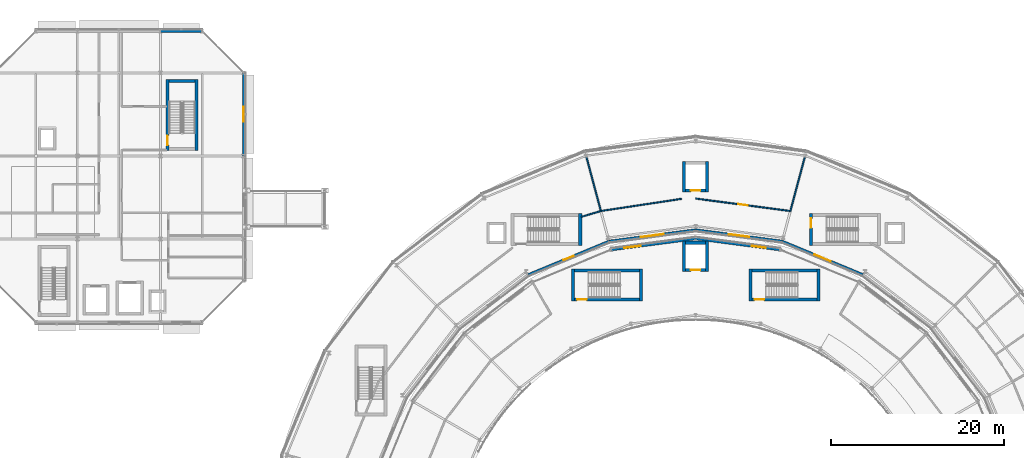
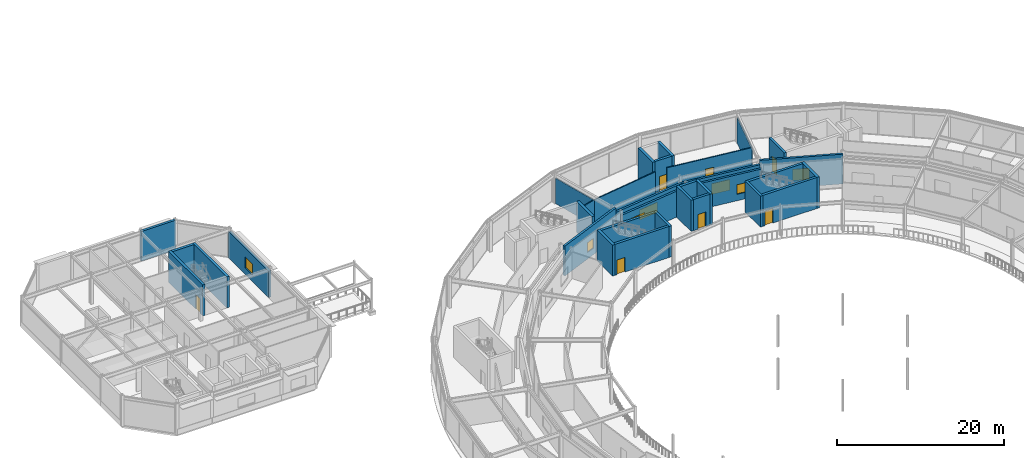
# One storey, part 122 of 157: 33 walls, 7 doors, 7 windows, 14 openings.
"""IFC4 building model written with IfcOpenShell, lengths in metres."""

from ifc_helpers import new_model, si_unit, direction, frame, frame_2d, origin, place, context, subcontext, project, spatial, rectangle, extrude, material, layer, layer_set, type_object, element, fill, save


model = new_model("IFC4")

# Units and contexts
model_context = context("Model", 3, precision=1e-05, world=origin(), true_north=direction((0.0, 1.0)))
body_context = subcontext(model_context, "Body", "Model", "MODEL_VIEW")
ifc_project = project(units=[si_unit("LENGTHUNIT", "METRE"), si_unit("AREAUNIT", "SQUARE_METRE"), si_unit("VOLUMEUNIT", "CUBIC_METRE"), si_unit("PLANEANGLEUNIT", "RADIAN"), si_unit("MASSUNIT", "GRAM", prefix="KILO")], contexts=[model_context])

# Site, building, storey
site_placement = place(None, origin())
site = spatial("IfcSite", under=ifc_project, at=site_placement, CompositionType="ELEMENT")
building_placement = place(site_placement, origin())
building = spatial("IfcBuilding", under=site, at=building_placement, Name="Almandine Court Research Institute", CompositionType="ELEMENT")
storey_placement = place(building_placement, frame((0.0, 0.0, 5.25)))
storey = spatial("IfcBuildingStorey", under=building, at=storey_placement, Name="L01", CompositionType="ELEMENT", Elevation=5.25)

# Wall
ifc_material_1 = material(Name="Air-Sealed Cleanroom Envelope Wall")
ifc_layer_1 = layer(ifc_material_1, 0.324951171875)
ifc_layer_set_1 = layer_set([ifc_layer_1], Name="Air-Sealed Cleanroom Envelope Wall")
wall_type_1 = type_object("IfcWallType", Name="Wall-EXT-CR-325", PredefinedType="SOLIDWALL", material=ifc_layer_set_1)
wall_1_placement = place(storey_placement, frame((25.2041015625, 117.60009765625, 0.0), z_axis=(0.0, 0.0, 1.0), x_axis=(1.0, 0.0, 0.0)))
element("IfcWall", 1, at=wall_1_placement, inside=storey, type_object=wall_type_1, Name="L01 Cleanroom North Wall 3", PredefinedType="SOLIDWALL", context=body_context, shape_type="SweptSolid", body=[
    extrude(rectangle(XDim=4.7919921875, YDim=0.324951171875, at=frame_2d((2.39599609375, 0.0))), origin(), (0.0, 0.0, 1.0), 4.3701171875),
])

# Wall, opening, window
wall_2_placement = place(storey_placement, frame((34.800048828125, 112.7958984375, 0.0), z_axis=(0.0, 0.0, 1.0), x_axis=(0.0, -1.0, 0.0)))
wall_2 = element("IfcWall", 2, at=wall_2_placement, inside=storey, type_object=wall_type_1, Name="L01 Cleanroom East Wall 3", PredefinedType="SOLIDWALL", context=body_context, shape_type="SweptSolid", body=[
    extrude(rectangle(XDim=9.591796875, YDim=0.324951171875, at=frame_2d((4.7958984375, 0.0))), origin(), (0.0, 0.0, 1.0), 3.884033203125),
])
opening_1_placement = place(wall_2_placement, frame((3.94091796875, 0.0, 0.949951171875)))
opening_1 = element("IfcOpeningElement", 3, at=opening_1_placement, cuts=wall_2, Name="Opening WN-23", PredefinedType="OPENING", context=body_context, shape_type="SweptSolid", body=[
    extrude(rectangle(XDim=1.7099609375, YDim=1.590087890625, at=frame_2d((0.85498046875, 0.794921875))), frame((0.0, 0.17236328125, 0.0), z_axis=(0.0, -1.0, 0.0), x_axis=(1.0, 0.0, 0.0)), (0.0, 0.0, 1.0), 0.344970703125),
])
ifc_material_2 = material(Name="Thermally Broken Low-E Double-Glazed Window", Category="glass")
window_type_1 = type_object("IfcWindowType", Name="Win-WN-23-1710x1590", PartitioningType="SINGLE_PANEL", PredefinedType="WINDOW", material=ifc_material_2)
window_1_placement = place(opening_1_placement, origin())
window_1 = element("IfcWindow", 4, at=window_1_placement, inside=storey, type_object=window_type_1, Name="L01 Modular Recessed Low-E Window 37", OverallHeight=1.590087890625, OverallWidth=1.7099609375, PartitioningType="SINGLE_PANEL", PredefinedType="WINDOW", context=body_context, shape_type="SweptSolid", body=[
    extrude(rectangle(XDim=1.7099609375, YDim=1.590087890625, at=frame_2d((0.85498046875, 0.794921875))), frame((0.0, 0.030029296875, 0.0), z_axis=(0.0, -1.0, 0.0), x_axis=(1.0, 0.0, 0.0)), (0.0, 0.0, 1.0), 0.06005859375),
])
fill(opening_1, window_1)

ifc_material_3 = material(Name="Insulated Ochre Terracotta Rainscreen Wall", Category="masonry")
ifc_layer_2 = layer(ifc_material_3, 0.2900390625)
ifc_layer_set_2 = layer_set([ifc_layer_2], Name="Insulated Ochre Terracotta Rainscreen Wall")
wall_type_2 = type_object("IfcWallType", Name="Wall-EXT-TERR-290", PredefinedType="SOLIDWALL", material=ifc_layer_set_2)
wall_3_placement = place(storey_placement, frame((106.324951171875, 89.48291015625, 0.0), z_axis=(0.0, 0.0, 1.0), x_axis=(-0.92385889973, 0.382733240508, 0.0)))
wall_3 = element("IfcWall", 5, at=wall_3_placement, inside=storey, type_object=wall_type_2, Name="L01 Drum Inner Gallery Wall 04", PredefinedType="SOLIDWALL", context=body_context, shape_type="SweptSolid", body=[
    extrude(rectangle(XDim=10.08056640625, YDim=0.2900390625, at=frame_2d((5.040283203125, 0.0))), origin(), (0.0, 0.0, 1.0), 4.3701171875),
])
opening_2_placement = place(wall_3_placement, frame((4.02001953125, 0.0, 0.949951171875)))
opening_2 = element("IfcOpeningElement", 6, at=opening_2_placement, cuts=wall_3, Name="Opening WN-93", PredefinedType="OPENING", context=body_context, shape_type="SweptSolid", body=[
    extrude(rectangle(XDim=2.0400390625, YDim=1.669921875, at=frame_2d((1.02001953125, 0.8349609375))), frame((0.0, 0.155029296875, 0.0), z_axis=(0.0, -1.0, 0.0), x_axis=(1.0, 0.0, 0.0)), (0.0, 0.0, 1.0), 0.31005859375),
])
window_type_2 = type_object("IfcWindowType", Name="Win-WN-93-2040x1670", PartitioningType="SINGLE_PANEL", PredefinedType="WINDOW", material=ifc_material_2)
window_2_placement = place(opening_2_placement, origin())
window_2 = element("IfcWindow", 7, at=window_2_placement, inside=storey, type_object=window_type_2, Name="L01 Modular Recessed Low-E Window 246", OverallHeight=1.669921875, OverallWidth=2.0400390625, PartitioningType="SINGLE_PANEL", PredefinedType="WINDOW", context=body_context, shape_type="SweptSolid", body=[
    extrude(rectangle(XDim=2.0400390625, YDim=1.669921875, at=frame_2d((1.02001953125, 0.8349609375))), frame((0.0, 0.030029296875, 0.0), z_axis=(0.0, -1.0, 0.0), x_axis=(1.0, 0.0, 0.0)), (0.0, 0.0, 1.0), 0.06005859375),
])
fill(opening_2, window_2)

wall_4_placement = place(storey_placement, frame((97.0, 93.343994140625, 0.0), z_axis=(0.0, 0.0, 1.0), x_axis=(-0.991454872597, 0.130450126879, 0.0)))
wall_4 = element("IfcWall", 8, at=wall_4_placement, inside=storey, type_object=wall_type_2, Name="L01 Drum Inner Gallery Wall 05", PredefinedType="SOLIDWALL", context=body_context, shape_type="SweptSolid", body=[
    extrude(rectangle(XDim=10.080078125, YDim=0.2900390625, at=frame_2d((5.0400390625, 0.0))), origin(), (0.0, 0.0, 1.0), 3.73193359375),
])
opening_3_placement = place(wall_4_placement, frame((3.85498046875, 0.0, 0.949951171875)))
opening_3 = element("IfcOpeningElement", 9, at=opening_3_placement, cuts=wall_4, Name="Opening WN-94", PredefinedType="OPENING", context=body_context, shape_type="SweptSolid", body=[
    extrude(rectangle(XDim=2.3701171875, YDim=1.590087890625, at=frame_2d((1.18505859375, 0.794921875))), frame((0.0, 0.155029296875, 0.0), z_axis=(0.0, -1.0, 0.0), x_axis=(1.0, 0.0, 0.0)), (0.0, 0.0, 1.0), 0.31005859375),
])
window_type_3 = type_object("IfcWindowType", Name="Win-WN-94-2370x1590", PartitioningType="SINGLE_PANEL", PredefinedType="WINDOW", material=ifc_material_2)
window_3_placement = place(opening_3_placement, origin())
window_3 = element("IfcWindow", 10, at=window_3_placement, inside=storey, type_object=window_type_3, Name="L01 Modular Recessed Low-E Window 247", OverallHeight=1.590087890625, OverallWidth=2.3701171875, PartitioningType="SINGLE_PANEL", PredefinedType="WINDOW", context=body_context, shape_type="SweptSolid", body=[
    extrude(rectangle(XDim=2.3701171875, YDim=1.590087890625, at=frame_2d((1.18505859375, 0.794921875))), frame((0.0, 0.030029296875, 0.0), z_axis=(0.0, -1.0, 0.0), x_axis=(1.0, 0.0, 0.0)), (0.0, 0.0, 1.0), 0.06005859375),
])
fill(opening_3, window_3)

wall_5_placement = place(storey_placement, frame((86.993896484375, 94.658935546875, 0.0), z_axis=(0.0, 0.0, 1.0), x_axis=(-0.991454872597, -0.130450126879, 0.0)))
wall_5 = element("IfcWall", 11, at=wall_5_placement, inside=storey, type_object=wall_type_2, Name="L01 Drum Inner Gallery Wall 06", PredefinedType="SOLIDWALL", context=body_context, shape_type="SweptSolid", body=[
    extrude(rectangle(XDim=10.080078125, YDim=0.2900390625, at=frame_2d((5.0400390625, 0.0))), origin(), (0.0, 0.0, 1.0), 3.73193359375),
])
opening_4_placement = place(wall_5_placement, frame((3.68994140625, 0.0, 0.949951171875)))
opening_4 = element("IfcOpeningElement", 12, at=opening_4_placement, cuts=wall_5, Name="Opening WN-95", PredefinedType="OPENING", context=body_context, shape_type="SweptSolid", body=[
    extrude(rectangle(XDim=2.699951171875, YDim=1.510009765625, at=frame_2d((1.35009765625, 0.7548828125))), frame((0.0, 0.155029296875, 0.0), z_axis=(0.0, -1.0, 0.0), x_axis=(1.0, 0.0, 0.0)), (0.0, 0.0, 1.0), 0.31005859375),
])
window_type_4 = type_object("IfcWindowType", Name="Win-WN-95-2700x1510", PartitioningType="SINGLE_PANEL", PredefinedType="WINDOW", material=ifc_material_2)
window_4_placement = place(opening_4_placement, origin())
window_4 = element("IfcWindow", 13, at=window_4_placement, inside=storey, type_object=window_type_4, Name="L01 Modular Recessed Low-E Window 248", OverallHeight=1.510009765625, OverallWidth=2.699951171875, PartitioningType="SINGLE_PANEL", PredefinedType="WINDOW", context=body_context, shape_type="SweptSolid", body=[
    extrude(rectangle(XDim=2.699951171875, YDim=1.510009765625, at=frame_2d((1.35009765625, 0.7548828125))), frame((0.0, 0.030029296875, 0.0), z_axis=(0.0, -1.0, 0.0), x_axis=(1.0, 0.0, 0.0)), (0.0, 0.0, 1.0), 0.06005859375),
])
fill(opening_4, window_4)

wall_6_placement = place(storey_placement, frame((76.988037109375, 93.341064453125, 0.0), z_axis=(0.0, 0.0, 1.0), x_axis=(-0.92385889973, -0.382733240508, 0.0)))
wall_6 = element("IfcWall", 14, at=wall_6_placement, inside=storey, type_object=wall_type_2, Name="L01 Drum Inner Gallery Wall 07", PredefinedType="SOLIDWALL", context=body_context, shape_type="SweptSolid", body=[
    extrude(rectangle(XDim=10.08056640625, YDim=0.2900390625, at=frame_2d((5.040283203125, 0.0))), origin(), (0.0, 0.0, 1.0), 4.3701171875),
])
opening_5_placement = place(wall_6_placement, frame((4.405029296875, 0.0, 0.949951171875)))
opening_5 = element("IfcOpeningElement", 15, at=opening_5_placement, cuts=wall_6, Name="Opening WN-96", PredefinedType="OPENING", context=body_context, shape_type="SweptSolid", body=[
    extrude(rectangle(XDim=1.27001953125, YDim=1.429931640625, at=frame_2d((0.635009765625, 0.71484375))), frame((0.0, 0.155029296875, 0.0), z_axis=(0.0, -1.0, 0.0), x_axis=(1.0, 0.0, 0.0)), (0.0, 0.0, 1.0), 0.31005859375),
])
window_type_5 = type_object("IfcWindowType", Name="Win-WN-96-1270x1430", PartitioningType="SINGLE_PANEL", PredefinedType="WINDOW", material=ifc_material_2)
window_5_placement = place(opening_5_placement, origin())
window_5 = element("IfcWindow", 16, at=window_5_placement, inside=storey, type_object=window_type_5, Name="L01 Modular Recessed Low-E Window 249", OverallHeight=1.429931640625, OverallWidth=1.27001953125, PartitioningType="SINGLE_PANEL", PredefinedType="WINDOW", context=body_context, shape_type="SweptSolid", body=[
    extrude(rectangle(XDim=1.27001953125, YDim=1.429931640625, at=frame_2d((0.635009765625, 0.71484375))), frame((0.0, 0.030029296875, 0.0), z_axis=(0.0, -1.0, 0.0), x_axis=(1.0, 0.0, 0.0)), (0.0, 0.0, 1.0), 0.06005859375),
])
fill(opening_5, window_5)

wall_7_placement = place(storey_placement, frame((87.00390625, 93.64892578125, 0.0), z_axis=(0.0, 0.0, 1.0), x_axis=(0.991456749128, -0.130435863969, 0.0)))
wall_7 = element("IfcWall", 17, at=wall_7_placement, inside=storey, type_object=wall_type_2, Name="L01 Interaction Atrium Perimeter Wall 05", PredefinedType="SOLIDWALL", context=body_context, shape_type="SweptSolid", body=[
    extrude(rectangle(XDim=9.821044921875, YDim=0.2900390625, at=frame_2d((4.91064453125, 0.0))), origin(), (0.0, 0.0, 1.0), 3.81494140625),
])
opening_6_placement = place(wall_7_placement, frame((6.56591796875, 0.0, 0.949951171875)))
opening_6 = element("IfcOpeningElement", 18, at=opening_6_placement, cuts=wall_7, Name="Opening WN-06", PredefinedType="OPENING", context=body_context, shape_type="SweptSolid", body=[
    extrude(rectangle(XDim=1.60009765625, YDim=1.39990234375, at=frame_2d((0.800048828125, 0.699951171875))), frame((0.0, 0.155029296875, 0.0), z_axis=(0.0, -1.0, 0.0), x_axis=(1.0, 0.0, 0.0)), (0.0, 0.0, 1.0), 0.31005859375),
])
window_type_6 = type_object("IfcWindowType", Name="Win-WN-06-1600x1400", PartitioningType="SINGLE_PANEL", PredefinedType="WINDOW", material=ifc_material_2)
window_6_placement = place(opening_6_placement, origin())
window_6 = element("IfcWindow", 19, at=window_6_placement, inside=storey, type_object=window_type_6, Name="L01 Modular Recessed Low-E Window 346", OverallHeight=1.39990234375, OverallWidth=1.60009765625, PartitioningType="SINGLE_PANEL", PredefinedType="WINDOW", context=body_context, shape_type="SweptSolid", body=[
    extrude(rectangle(XDim=1.60009765625, YDim=1.39990234375, at=frame_2d((0.800048828125, 0.699951171875))), frame((0.0, 0.030029296875, 0.0), z_axis=(0.0, -1.0, 0.0), x_axis=(1.0, 0.0, 0.0)), (0.0, 0.0, 1.0), 0.06005859375),
])
fill(opening_6, window_6)

wall_8_placement = place(storey_placement, frame((77.259033203125, 92.367919921875, 0.0), z_axis=(0.0, 0.0, 1.0), x_axis=(0.991456749128, 0.130435863969, 0.0)))
wall_8 = element("IfcWall", 20, at=wall_8_placement, inside=storey, type_object=wall_type_2, Name="L01 Interaction Atrium Perimeter Wall 06", PredefinedType="SOLIDWALL", context=body_context, shape_type="SweptSolid", body=[
    extrude(rectangle(XDim=9.821044921875, YDim=0.2900390625, at=frame_2d((4.91064453125, 0.0))), origin(), (0.0, 0.0, 1.0), 3.81494140625),
])
opening_7_placement = place(wall_8_placement, frame((1.489990234375, 0.0, 0.949951171875)))
opening_7 = element("IfcOpeningElement", 21, at=opening_7_placement, cuts=wall_8, Name="Opening WN-82", PredefinedType="OPENING", context=body_context, shape_type="SweptSolid", body=[
    extrude(rectangle(XDim=1.929931640625, YDim=1.800048828125, at=frame_2d((0.96484375, 0.89990234375))), frame((0.0, 0.155029296875, 0.0), z_axis=(0.0, -1.0, 0.0), x_axis=(1.0, 0.0, 0.0)), (0.0, 0.0, 1.0), 0.31005859375),
])
window_type_7 = type_object("IfcWindowType", Name="Win-WN-82-1930x1800", PartitioningType="SINGLE_PANEL", PredefinedType="WINDOW", material=ifc_material_2)
window_7_placement = place(opening_7_placement, origin())
window_7 = element("IfcWindow", 22, at=window_7_placement, inside=storey, type_object=window_type_7, Name="L01 Modular Recessed Low-E Window 347", OverallHeight=1.800048828125, OverallWidth=1.929931640625, PartitioningType="SINGLE_PANEL", PredefinedType="WINDOW", context=body_context, shape_type="SweptSolid", body=[
    extrude(rectangle(XDim=1.929931640625, YDim=1.800048828125, at=frame_2d((0.96484375, 0.89990234375))), frame((0.0, 0.030029296875, 0.0), z_axis=(0.0, -1.0, 0.0), x_axis=(1.0, 0.0, 0.0)), (0.0, 0.0, 1.0), 0.06005859375),
])
fill(opening_7, window_7)

# Wall, opening, door
ifc_material_4 = material(Name="Acoustic Steel-Stud Gypsum Partition Wall", Category="steel")
ifc_layer_3 = layer(ifc_material_4, 0.14990234375)
ifc_layer_set_3 = layer_set([ifc_layer_3], Name="Acoustic Steel-Stud Gypsum Partition Wall")
wall_type_3 = type_object("IfcWallType", Name="Wall-PART-150", PredefinedType="PARTITIONING", material=ifc_layer_set_3)
wall_9_placement = place(storey_placement, frame((97.943115234375, 96.839111328125, 0.0), z_axis=(0.0, 0.0, 1.0), x_axis=(-0.991442170204, 0.130546632054, 0.0)))
wall_9 = element("IfcWall", 23, at=wall_9_placement, inside=storey, type_object=wall_type_3, Name="L01 Interior Partition W-V5-L01-CHD-05", PredefinedType="PARTITIONING", context=body_context, shape_type="SweptSolid", body=[
    extrude(rectangle(XDim=11.03759765625, YDim=0.14990234375, at=frame_2d((5.518798828125, 0.0))), origin(), (0.0, 0.0, 1.0), 3.737060546875),
])
opening_8_placement = place(wall_9_placement, frame((4.949951171875, 0.0, 0.0)))
opening_8 = element("IfcOpeningElement", 24, at=opening_8_placement, cuts=wall_9, Name="Opening D-03", PredefinedType="OPENING", context=body_context, shape_type="SweptSolid", body=[
    extrude(rectangle(XDim=1.10009765625, YDim=2.199951171875, at=frame_2d((0.550048828125, 1.10009765625))), frame((0.0, 0.0849609375, 0.0), z_axis=(0.0, -1.0, 0.0), x_axis=(1.0, 0.0, 0.0)), (0.0, 0.0, 1.0), 0.169921875),
])
ifc_material_5 = material(Name="Acoustic Vision-Panel Seminar Door")
door_type_1 = type_object("IfcDoorType", Name="Door-INT-1100", OperationType="NOTDEFINED", PredefinedType="DOOR", material=ifc_material_5)
door_1_placement = place(opening_8_placement, origin())
door_1 = element("IfcDoor", 25, at=door_1_placement, inside=storey, type_object=door_type_1, Name="L01 Drum Reference Library Door", OperationType="SINGLE_SWING_LEFT", OverallHeight=2.199951171875, OverallWidth=1.10009765625, PredefinedType="DOOR", context=body_context, shape_type="SweptSolid", body=[
    extrude(rectangle(XDim=1.10009765625, YDim=2.199951171875, at=frame_2d((0.550048828125, 1.10009765625))), frame((0.0, 0.02490234375, 0.0), z_axis=(0.0, -1.0, 0.0), x_axis=(1.0, 0.0, 0.0)), (0.0, 0.0, 1.0), 0.050048828125),
])
fill(opening_8, door_1)

# Walls
wall_10_placement = place(storey_placement, frame((85.376953125, 98.2490234375, 0.0), z_axis=(0.0, 0.0, 1.0), x_axis=(-0.988750352389, -0.149575200656, 0.0)))
element("IfcWall", 26, at=wall_10_placement, inside=storey, type_object=wall_type_3, Name="L01 Interior Partition W-V5-L01-CHD-06", PredefinedType="PARTITIONING", context=body_context, shape_type="SweptSolid", body=[
    extrude(rectangle(XDim=9.426025390625, YDim=0.14990234375, at=frame_2d((4.712890625, 0.0))), origin(), (0.0, 0.0, 1.0), 3.737060546875),
])
wall_11_placement = place(storey_placement, frame((76.056884765625, 96.839111328125, 0.0), z_axis=(0.0, 0.0, 1.0), x_axis=(-0.95838508169, -0.285478607244, 0.0)))
element("IfcWall", 27, at=wall_11_placement, inside=storey, type_object=wall_type_3, Name="L01 Interior Partition W-V5-L01-CHD-07", PredefinedType="PARTITIONING", context=body_context, shape_type="SweptSolid", body=[
    extrude(rectangle(XDim=2.361083984375, YDim=0.14990234375, at=frame_2d((1.1806640625, 0.0))), origin(), (0.0, 0.0, 1.0), 3.737060546875),
])
for number, where, z_axis, x_axis, name in (
    (28, (97.943115234375, 96.839111328125, 0.0), (0.0, 0.0, 1.0), (0.258832719409, 0.965922162166, 0.0), "L01 Interior Partition W-V5-L01-RAD-05"),
    (29, (76.056884765625, 96.839111328125, 0.0), (0.0, 0.0, 1.0), (-0.258832719409, 0.965922162166, 0.0), "L01 Interior Partition W-V5-L01-RAD-07"),
):
    element("IfcWall", number, at=place(storey_placement, frame(where, z_axis=z_axis, x_axis=x_axis)), inside=storey, type_object=wall_type_3, Name=name, PredefinedType="PARTITIONING", context=body_context, shape_type="SweptSolid", body=[
        extrude(rectangle(XDim=6.4404296875, YDim=0.14990234375, at=frame_2d((3.22021484375, 0.0))), origin(), (0.0, 0.0, 1.0), 3.737060546875),
    ])
ifc_material_6 = material(Name="Concrete C40/50", Category="concrete")
ifc_layer_4 = layer(ifc_material_6, 0.35009765625)
ifc_layer_set_4 = layer_set([ifc_layer_4], Name="Concrete C40/50")
wall_type_4 = type_object("IfcWallType", Name="Wall-SW-CORE-350", PredefinedType="SHEAR", material=ifc_layer_set_4)
wall_12_placement = place(storey_placement, frame((93.324951171875, 86.449951171875, 0.0), z_axis=(0.0, 0.0, 1.0), x_axis=(0.0, 1.0, 0.0)))
element("IfcWall", 30, at=wall_12_placement, inside=storey, type_object=wall_type_4, Name="L01 ST-03 W Shear Wall", PredefinedType="SHEAR", context=body_context, shape_type="SweptSolid", body=[
    extrude(rectangle(XDim=3.699951171875, YDim=0.35009765625, at=frame_2d((1.85009765625, 0.0))), origin(), (0.0, 0.0, 1.0), 4.550048828125),
])
wall_13_placement = place(storey_placement, frame((93.5, 89.97509765625, 0.0), z_axis=(0.0, 0.0, 1.0), x_axis=(1.0, 0.0, 0.0)))
element("IfcWall", 31, at=wall_13_placement, inside=storey, type_object=wall_type_4, Name="L01 ST-03 N Shear Wall", PredefinedType="SHEAR", context=body_context, shape_type="SweptSolid", body=[
    extrude(rectangle(XDim=7.5, YDim=0.35009765625, at=frame_2d((3.75, 0.0))), origin(), (0.0, 0.0, 1.0), 4.550048828125),
])
wall_14_placement = place(storey_placement, frame((101.175048828125, 90.14990234375, 0.0), z_axis=(0.0, 0.0, 1.0), x_axis=(0.0, -1.0, 0.0)))
element("IfcWall", 32, at=wall_14_placement, inside=storey, type_object=wall_type_4, Name="L01 ST-03 E Shear Wall", PredefinedType="SHEAR", context=body_context, shape_type="SweptSolid", body=[
    extrude(rectangle(XDim=3.699951171875, YDim=0.35009765625, at=frame_2d((1.85009765625, 0.0))), origin(), (0.0, 0.0, 1.0), 4.550048828125),
])

# Wall, opening, door
wall_15_placement = place(storey_placement, frame((101.0, 86.625, 0.0), z_axis=(0.0, 0.0, 1.0), x_axis=(-1.0, 0.0, 0.0)))
wall_15 = element("IfcWall", 33, at=wall_15_placement, inside=storey, type_object=wall_type_4, Name="L01 ST-03 S Shear Wall", PredefinedType="SHEAR", context=body_context, shape_type="SweptSolid", body=[
    extrude(rectangle(XDim=7.5, YDim=0.35009765625, at=frame_2d((3.75, 0.0))), origin(), (0.0, 0.0, 1.0), 4.550048828125),
])
opening_9_placement = place(wall_15_placement, frame((6.10009765625, 0.0, 0.0)))
opening_9 = element("IfcOpeningElement", 34, at=opening_9_placement, cuts=wall_15, Name="Opening FD-STAIR", PredefinedType="OPENING", context=body_context, shape_type="SweptSolid", body=[
    extrude(rectangle(XDim=1.10009765625, YDim=2.14990234375, at=frame_2d((0.550048828125, 1.074951171875))), frame((0.0, 0.18505859375, 0.0), z_axis=(0.0, -1.0, 0.0), x_axis=(1.0, 0.0, 0.0)), (0.0, 0.0, 1.0), 0.3701171875),
])
ifc_material_7 = material(Name="Self-Closing Steel Exit Stair Fire Door", Category="steel")
door_type_2 = type_object("IfcDoorType", Name="Door-FD-STAIR-1100", OperationType="NOTDEFINED", PredefinedType="DOOR", material=ifc_material_7)
door_2_placement = place(opening_9_placement, origin())
door_2 = element("IfcDoor", 35, at=door_2_placement, inside=storey, type_object=door_type_2, Name="L01 Exit Stair ST-03 Fire Door", OperationType="SINGLE_SWING_LEFT", OverallHeight=2.14990234375, OverallWidth=1.10009765625, PredefinedType="DOOR", context=body_context, shape_type="SweptSolid", body=[
    extrude(rectangle(XDim=1.10009765625, YDim=2.14990234375, at=frame_2d((0.550048828125, 1.074951171875))), frame((0.0, 0.02490234375, 0.0), z_axis=(0.0, -1.0, 0.0), x_axis=(1.0, 0.0, 0.0)), (0.0, 0.0, 1.0), 0.050048828125),
])
fill(opening_9, door_2)

# Walls
wall_16_placement = place(storey_placement, frame((72.824951171875, 86.449951171875, 0.0), z_axis=(0.0, 0.0, 1.0), x_axis=(0.0, 1.0, 0.0)))
element("IfcWall", 36, at=wall_16_placement, inside=storey, type_object=wall_type_4, Name="L01 ST-04 W Shear Wall", PredefinedType="SHEAR", context=body_context, shape_type="SweptSolid", body=[
    extrude(rectangle(XDim=3.699951171875, YDim=0.35009765625, at=frame_2d((1.85009765625, 0.0))), origin(), (0.0, 0.0, 1.0), 4.550048828125),
])
wall_17_placement = place(storey_placement, frame((73.0, 89.97509765625, 0.0), z_axis=(0.0, 0.0, 1.0), x_axis=(1.0, 0.0, 0.0)))
element("IfcWall", 37, at=wall_17_placement, inside=storey, type_object=wall_type_4, Name="L01 ST-04 N Shear Wall", PredefinedType="SHEAR", context=body_context, shape_type="SweptSolid", body=[
    extrude(rectangle(XDim=7.5, YDim=0.35009765625, at=frame_2d((3.75, 0.0))), origin(), (0.0, 0.0, 1.0), 4.550048828125),
])
wall_18_placement = place(storey_placement, frame((80.675048828125, 90.14990234375, 0.0), z_axis=(0.0, 0.0, 1.0), x_axis=(0.0, -1.0, 0.0)))
element("IfcWall", 38, at=wall_18_placement, inside=storey, type_object=wall_type_4, Name="L01 ST-04 E Shear Wall", PredefinedType="SHEAR", context=body_context, shape_type="SweptSolid", body=[
    extrude(rectangle(XDim=3.699951171875, YDim=0.35009765625, at=frame_2d((1.85009765625, 0.0))), origin(), (0.0, 0.0, 1.0), 4.550048828125),
])

# Wall, opening, door
wall_19_placement = place(storey_placement, frame((80.5, 86.625, 0.0), z_axis=(0.0, 0.0, 1.0), x_axis=(-1.0, 0.0, 0.0)))
wall_19 = element("IfcWall", 39, at=wall_19_placement, inside=storey, type_object=wall_type_4, Name="L01 ST-04 S Shear Wall", PredefinedType="SHEAR", context=body_context, shape_type="SweptSolid", body=[
    extrude(rectangle(XDim=7.5, YDim=0.35009765625, at=frame_2d((3.75, 0.0))), origin(), (0.0, 0.0, 1.0), 4.550048828125),
])
opening_10_placement = place(wall_19_placement, frame((6.10009765625, 0.0, 0.0)))
opening_10 = element("IfcOpeningElement", 40, at=opening_10_placement, cuts=wall_19, Name="Opening FD-STAIR", PredefinedType="OPENING", context=body_context, shape_type="SweptSolid", body=[
    extrude(rectangle(XDim=1.10009765625, YDim=2.14990234375, at=frame_2d((0.550048828125, 1.074951171875))), frame((0.0, 0.18505859375, 0.0), z_axis=(0.0, -1.0, 0.0), x_axis=(1.0, 0.0, 0.0)), (0.0, 0.0, 1.0), 0.3701171875),
])
door_3_placement = place(opening_10_placement, origin())
door_3 = element("IfcDoor", 41, at=door_3_placement, inside=storey, type_object=door_type_2, Name="L01 Exit Stair ST-04 Fire Door", OperationType="SINGLE_SWING_LEFT", OverallHeight=2.14990234375, OverallWidth=1.10009765625, PredefinedType="DOOR", context=body_context, shape_type="SweptSolid", body=[
    extrude(rectangle(XDim=1.10009765625, YDim=2.14990234375, at=frame_2d((0.550048828125, 1.074951171875))), frame((0.0, 0.02490234375, 0.0), z_axis=(0.0, -1.0, 0.0), x_axis=(1.0, 0.0, 0.0)), (0.0, 0.0, 1.0), 0.050048828125),
])
fill(opening_10, door_3)

wall_20_placement = place(storey_placement, frame((26.02490234375, 103.85009765625, 0.0), z_axis=(0.0, 0.0, 1.0), x_axis=(0.0, 1.0, 0.0)))
wall_20 = element("IfcWall", 42, at=wall_20_placement, inside=storey, type_object=wall_type_4, Name="L01 ST-06 W Shear Wall", PredefinedType="SHEAR", context=body_context, shape_type="SweptSolid", body=[
    extrude(rectangle(XDim=8.199951171875, YDim=0.35009765625, at=frame_2d((4.10009765625, 0.0))), origin(), (0.0, 0.0, 1.0), 4.550048828125),
])
opening_11_placement = place(wall_20_placement, frame((0.60009765625, 0.0, 0.0)))
opening_11 = element("IfcOpeningElement", 43, at=opening_11_placement, cuts=wall_20, Name="Opening FD-STAIR", PredefinedType="OPENING", context=body_context, shape_type="SweptSolid", body=[
    extrude(rectangle(XDim=1.10009765625, YDim=2.14990234375, at=frame_2d((0.550048828125, 1.074951171875))), frame((0.0, 0.18505859375, 0.0), z_axis=(0.0, -1.0, 0.0), x_axis=(1.0, 0.0, 0.0)), (0.0, 0.0, 1.0), 0.3701171875),
])
door_4_placement = place(opening_11_placement, origin())
door_4 = element("IfcDoor", 44, at=door_4_placement, inside=storey, type_object=door_type_2, Name="L01 Exit Stair ST-06 Fire Door", OperationType="SINGLE_SWING_RIGHT", OverallHeight=2.14990234375, OverallWidth=1.10009765625, PredefinedType="DOOR", context=body_context, shape_type="SweptSolid", body=[
    extrude(rectangle(XDim=1.10009765625, YDim=2.14990234375, at=frame_2d((0.550048828125, 1.074951171875))), frame((0.0, 0.02490234375, 0.0), z_axis=(0.0, -1.0, 0.0), x_axis=(1.0, 0.0, 0.0)), (0.0, 0.0, 1.0), 0.050048828125),
])
fill(opening_11, door_4)

# Walls
wall_21_placement = place(storey_placement, frame((26.199951171875, 111.875, 0.0), z_axis=(0.0, 0.0, 1.0), x_axis=(1.0, 0.0, 0.0)))
element("IfcWall", 45, at=wall_21_placement, inside=storey, type_object=wall_type_4, Name="L01 ST-06 N Shear Wall", PredefinedType="SHEAR", context=body_context, shape_type="SweptSolid", body=[
    extrude(rectangle(XDim=3.0, YDim=0.35009765625, at=frame_2d((1.5, 0.0))), origin(), (0.0, 0.0, 1.0), 4.550048828125),
])
wall_22_placement = place(storey_placement, frame((29.375, 112.050048828125, 0.0), z_axis=(0.0, 0.0, 1.0), x_axis=(0.0, -1.0, 0.0)))
element("IfcWall", 46, at=wall_22_placement, inside=storey, type_object=wall_type_4, Name="L01 ST-06 E Shear Wall", PredefinedType="SHEAR", context=body_context, shape_type="SweptSolid", body=[
    extrude(rectangle(XDim=8.199951171875, YDim=0.35009765625, at=frame_2d((4.10009765625, 0.0))), origin(), (0.0, 0.0, 1.0), 4.550048828125),
])

# Wall, opening, door
wall_23_placement = place(storey_placement, frame((100.324951171875, 92.85009765625, 0.0), z_axis=(0.0, 0.0, 1.0), x_axis=(0.0, 1.0, 0.0)))
wall_23 = element("IfcWall", 47, at=wall_23_placement, inside=storey, type_object=wall_type_4, Name="L01 ST-09 W Shear Wall", PredefinedType="SHEAR", context=body_context, shape_type="SweptSolid", body=[
    extrude(rectangle(XDim=3.699951171875, YDim=0.35009765625, at=frame_2d((1.85009765625, 0.0))), origin(), (0.0, 0.0, 1.0), 4.550048828125),
])
opening_12_placement = place(wall_23_placement, frame((2.050048828125, 0.0, 0.0)))
opening_12 = element("IfcOpeningElement", 48, at=opening_12_placement, cuts=wall_23, Name="Opening FD-STAIR", PredefinedType="OPENING", context=body_context, shape_type="SweptSolid", body=[
    extrude(rectangle(XDim=1.10009765625, YDim=2.14990234375, at=frame_2d((0.550048828125, 1.074951171875))), frame((0.0, 0.18505859375, 0.0), z_axis=(0.0, -1.0, 0.0), x_axis=(1.0, 0.0, 0.0)), (0.0, 0.0, 1.0), 0.3701171875),
])
door_5_placement = place(opening_12_placement, origin())
door_5 = element("IfcDoor", 49, at=door_5_placement, inside=storey, type_object=door_type_2, Name="L01 Exit Stair ST-09 Fire Door", OperationType="SINGLE_SWING_LEFT", OverallHeight=2.14990234375, OverallWidth=1.10009765625, PredefinedType="DOOR", context=body_context, shape_type="SweptSolid", body=[
    extrude(rectangle(XDim=1.10009765625, YDim=2.14990234375, at=frame_2d((0.550048828125, 1.074951171875))), frame((0.0, 0.02490234375, 0.0), z_axis=(0.0, -1.0, 0.0), x_axis=(1.0, 0.0, 0.0)), (0.0, 0.0, 1.0), 0.050048828125),
])
fill(opening_12, door_5)

# Walls
wall_24_placement = place(storey_placement, frame((73.675048828125, 96.550048828125, 0.0), z_axis=(0.0, 0.0, 1.0), x_axis=(0.0, -1.0, 0.0)))
element("IfcWall", 50, at=wall_24_placement, inside=storey, type_object=wall_type_4, Name="L01 ST-10 E Shear Wall", PredefinedType="SHEAR", context=body_context, shape_type="SweptSolid", body=[
    extrude(rectangle(XDim=3.699951171875, YDim=0.35009765625, at=frame_2d((1.85009765625, 0.0))), origin(), (0.0, 0.0, 1.0), 4.550048828125),
])
wall_25_placement = place(storey_placement, frame((85.675048828125, 89.85009765625, 0.0), z_axis=(0.0, 0.0, 1.0), x_axis=(0.0, 1.0, 0.0)))
element("IfcWall", 51, at=wall_25_placement, inside=storey, type_object=wall_type_4, Name="L01 PL-03 Hoistway W Shear Wall", PredefinedType="SHEAR", context=body_context, shape_type="SweptSolid", body=[
    extrude(rectangle(XDim=3.5, YDim=0.35009765625, at=frame_2d((1.75, 0.0))), origin(), (0.0, 0.0, 1.0), 4.550048828125),
])
wall_26_placement = place(storey_placement, frame((85.85009765625, 93.175048828125, 0.0), z_axis=(0.0, 0.0, 1.0), x_axis=(1.0, 0.0, 0.0)))
element("IfcWall", 52, at=wall_26_placement, inside=storey, type_object=wall_type_4, Name="L01 PL-03 Hoistway N Shear Wall", PredefinedType="SHEAR", context=body_context, shape_type="SweptSolid", body=[
    extrude(rectangle(XDim=2.2998046875, YDim=0.35009765625, at=frame_2d((1.14990234375, 0.0))), origin(), (0.0, 0.0, 1.0), 4.550048828125),
])
wall_27_placement = place(storey_placement, frame((88.324951171875, 93.35009765625, 0.0), z_axis=(0.0, 0.0, 1.0), x_axis=(0.0, -1.0, 0.0)))
element("IfcWall", 53, at=wall_27_placement, inside=storey, type_object=wall_type_4, Name="L01 PL-03 Hoistway E Shear Wall", PredefinedType="SHEAR", context=body_context, shape_type="SweptSolid", body=[
    extrude(rectangle(XDim=3.5, YDim=0.35009765625, at=frame_2d((1.75, 0.0))), origin(), (0.0, 0.0, 1.0), 4.550048828125),
])

# Wall, opening, door
wall_28_placement = place(storey_placement, frame((88.14990234375, 90.02490234375, 0.0), z_axis=(0.0, 0.0, 1.0), x_axis=(-1.0, 0.0, 0.0)))
wall_28 = element("IfcWall", 54, at=wall_28_placement, inside=storey, type_object=wall_type_4, Name="L01 PL-03 Hoistway S Shear Wall", PredefinedType="SHEAR", context=body_context, shape_type="SweptSolid", body=[
    extrude(rectangle(XDim=2.2998046875, YDim=0.35009765625, at=frame_2d((1.14990234375, 0.0))), origin(), (0.0, 0.0, 1.0), 4.550048828125),
])
opening_13_placement = place(wall_28_placement, frame((0.60009765625, 0.0, 0.0)))
opening_13 = element("IfcOpeningElement", 55, at=opening_13_placement, cuts=wall_28, Name="Opening LD-01", PredefinedType="OPENING", context=body_context, shape_type="SweptSolid", body=[
    extrude(rectangle(XDim=1.10009765625, YDim=2.14990234375, at=frame_2d((0.550048828125, 1.074951171875))), frame((0.0, 0.18505859375, 0.0), z_axis=(0.0, -1.0, 0.0), x_axis=(1.0, 0.0, 0.0)), (0.0, 0.0, 1.0), 0.3701171875),
])
ifc_material_8 = material(Name="Stainless Steel Lift Landing Sliding Door", Category="steel")
door_type_3 = type_object("IfcDoorType", Name="Door-LD-PASS-1100", OperationType="SLIDING_TO_LEFT", PredefinedType="USERDEFINED", material=ifc_material_8)
door_6_placement = place(opening_13_placement, origin())
door_6 = element("IfcDoor", 56, at=door_6_placement, inside=storey, type_object=door_type_3, Name="L01 Interaction Atrium Passenger Lift PL-03 Sliding Landing Door", ObjectType="LANDING DOOR", OperationType="SLIDING_TO_LEFT", OverallHeight=2.14990234375, OverallWidth=1.10009765625, PredefinedType="USERDEFINED", context=body_context, shape_type="SweptSolid", body=[
    extrude(rectangle(XDim=1.10009765625, YDim=2.14990234375, at=frame_2d((0.550048828125, 1.074951171875))), frame((0.0, 0.02490234375, 0.0), z_axis=(0.0, -1.0, 0.0), x_axis=(1.0, 0.0, 0.0)), (0.0, 0.0, 1.0), 0.050048828125),
])
fill(opening_13, door_6)

# Walls
for number, where, z_axis, x_axis, name in (
    (57, (85.675048828125, 99.050048828125, 0.0), (0.0, 0.0, 1.0), (0.0, 1.0, 0.0), "L01 PL-04 Hoistway W Shear Wall"),
    (58, (88.324951171875, 102.550048828125, 0.0), (0.0, 0.0, 1.0), (0.0, -1.0, 0.0), "L01 PL-04 Hoistway E Shear Wall"),
):
    element("IfcWall", number, at=place(storey_placement, frame(where, z_axis=z_axis, x_axis=x_axis)), inside=storey, type_object=wall_type_4, Name=name, PredefinedType="SHEAR", context=body_context, shape_type="SweptSolid", body=[
        extrude(rectangle(XDim=3.5, YDim=0.35009765625, at=frame_2d((1.75, 0.0))), origin(), (0.0, 0.0, 1.0), 4.550048828125),
    ])

# Wall, opening, door
wall_29_placement = place(storey_placement, frame((88.14990234375, 99.22509765625, 0.0), z_axis=(0.0, 0.0, 1.0), x_axis=(-1.0, 0.0, 0.0)))
wall_29 = element("IfcWall", 59, at=wall_29_placement, inside=storey, type_object=wall_type_4, Name="L01 PL-04 Hoistway S Shear Wall", PredefinedType="SHEAR", context=body_context, shape_type="SweptSolid", body=[
    extrude(rectangle(XDim=2.2998046875, YDim=0.35009765625, at=frame_2d((1.14990234375, 0.0))), origin(), (0.0, 0.0, 1.0), 4.550048828125),
])
opening_14_placement = place(wall_29_placement, frame((0.60009765625, 0.0, 0.0)))
opening_14 = element("IfcOpeningElement", 60, at=opening_14_placement, cuts=wall_29, Name="Opening LD-01", PredefinedType="OPENING", context=body_context, shape_type="SweptSolid", body=[
    extrude(rectangle(XDim=1.10009765625, YDim=2.14990234375, at=frame_2d((0.550048828125, 1.074951171875))), frame((0.0, 0.18505859375, 0.0), z_axis=(0.0, -1.0, 0.0), x_axis=(1.0, 0.0, 0.0)), (0.0, 0.0, 1.0), 0.3701171875),
])
door_7_placement = place(opening_14_placement, origin())
door_7 = element("IfcDoor", 61, at=door_7_placement, inside=storey, type_object=door_type_3, Name="L01 Dry Laboratory Drum Passenger Lift PL-04 Sliding Landing Door", ObjectType="LANDING DOOR", OperationType="SLIDING_TO_LEFT", OverallHeight=2.14990234375, OverallWidth=1.10009765625, PredefinedType="USERDEFINED", context=body_context, shape_type="SweptSolid", body=[
    extrude(rectangle(XDim=1.10009765625, YDim=2.14990234375, at=frame_2d((0.550048828125, 1.074951171875))), frame((0.0, 0.02490234375, 0.0), z_axis=(0.0, -1.0, 0.0), x_axis=(1.0, 0.0, 0.0)), (0.0, 0.0, 1.0), 0.050048828125),
])
fill(opening_14, door_7)

save(model, "model.ifc")
